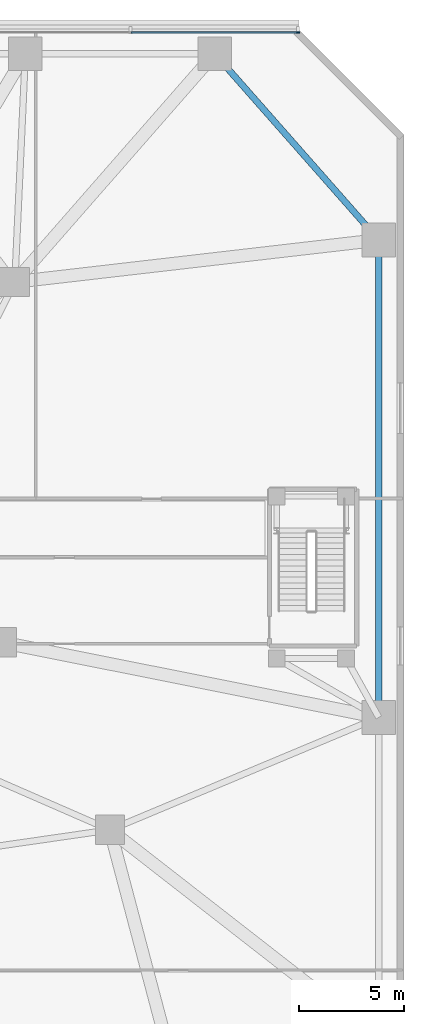
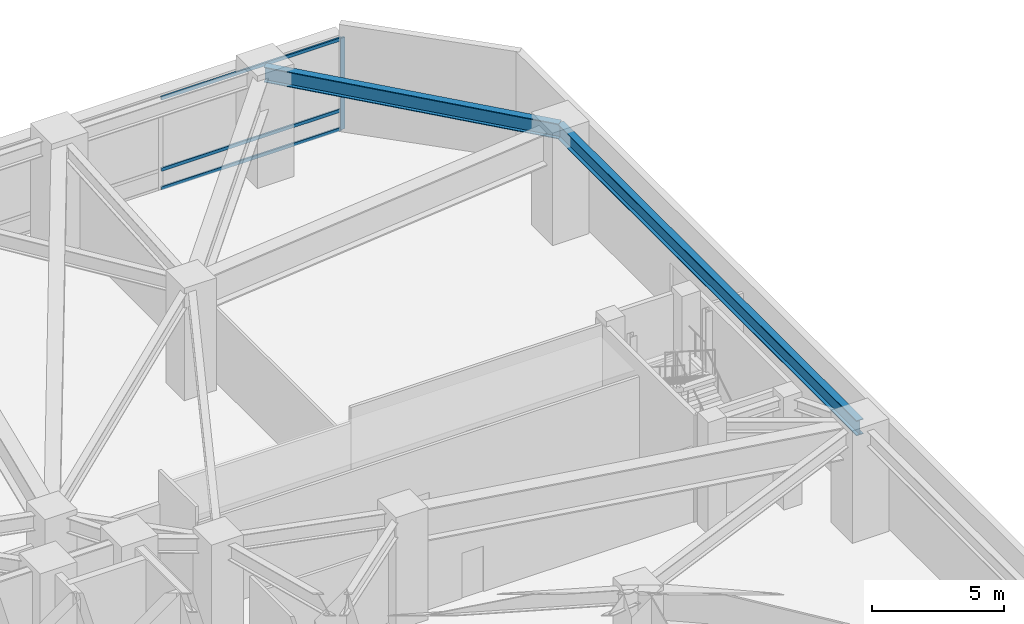
# One storey, part 13 of 27: 4 members, 2 beams, 1 element without a shape of its own.
"""IFC4 building model written with IfcOpenShell, lengths in metres."""

from ifc_helpers import new_model, si_unit, direction, frame, origin, origin_2d, place, context, subcontext, project, spatial, rectangle, i_section, extrude, material, layer, layer_set, material_profile, profile_set, type_object, element, aggregate, save


model = new_model("IFC4")

# Units and contexts
model_context = context("Model", 3, precision=1e-05, world=origin(), true_north=direction((0.0, 1.0)))
body_context = subcontext(model_context, "Body", "Model", "MODEL_VIEW")
ifc_project = project(units=[si_unit("LENGTHUNIT", "METRE"), si_unit("AREAUNIT", "SQUARE_METRE"), si_unit("VOLUMEUNIT", "CUBIC_METRE"), si_unit("PLANEANGLEUNIT", "RADIAN"), si_unit("MASSUNIT", "GRAM", prefix="KILO")], contexts=[model_context])

# Site, building, storey
site_placement = place(None, origin())
site = spatial("IfcSite", under=ifc_project, at=site_placement, CompositionType="ELEMENT")
building_placement = place(site_placement, origin())
building = spatial("IfcBuilding", under=site, at=building_placement, Name="Terralouvre Media Tower", CompositionType="ELEMENT")
storey_placement = place(building_placement, frame((0.0, 0.0, 15.60009765625)))
storey = spatial("IfcBuildingStorey", under=building, at=storey_placement, Name="L03", CompositionType="ELEMENT", Elevation=15.60009765625)

# Curtain wall, members
ifc_material_1 = material(Name="Low-iron laminated double glazing with solar-control coating", Category="glass")
ifc_layer = layer(ifc_material_1, 0.1650390625, Name="Podium Broadcast Gallery Glazing CW-01")
ifc_layer_set = layer_set([ifc_layer], Name="Low-iron laminated double glazing with solar-control coating")
curtain_wall_type = type_object("IfcCurtainWallType", Name="Podium Broadcast Gallery Glazing CW-01", PredefinedType="NOTDEFINED", material=ifc_layer_set)
curtain_wall_placement = place(storey_placement, origin())
curtain_wall = element("IfcCurtainWall", 1, at=curtain_wall_placement, inside=storey, type_object=curtain_wall_type, Name="L03 Podium Curtain Wall F4", PredefinedType="NOTDEFINED")
ifc_material_2 = material(Name="Anodised extruded aluminium 6063-T6", Category="aluminium")
ifc_material_profile_1 = material_profile(ifc_material_2, rectangle(XDim=0.074951171875, YDim=0.14990234375, at=origin_2d()), Name="ALU 75x150")
ifc_profile_set_1 = profile_set([ifc_material_profile_1], Name="Anodised extruded aluminium 6063-T6")
member_type_1 = type_object("IfcMemberType", Name="Curtain-Wall Horizontal Transom TR-150", PredefinedType="USERDEFINED", material=ifc_profile_set_1)
member_1_placement = place(storey_placement, frame((31.925048828125, 33.360107421875, 0.037353515625), z_axis=(-1.0, 0.0, 0.0), x_axis=(0.0, -1.0, 0.0)))
member_1 = element("IfcMember", 2, at=member_1_placement, type_object=member_type_1, Name="CW-01 transom 1.1", ObjectType="TRANSOM", PredefinedType="USERDEFINED", context=body_context, shape_type="SweptSolid", body=[
    extrude(rectangle(XDim=0.074951171875, YDim=0.14990234375, at=origin_2d()), origin(), (0.0, 0.0, 1.0), 7.887451171875),
])
member_2_placement = place(storey_placement, frame((31.925048828125, 33.360107421875, 0.89990234375), z_axis=(-1.0, 0.0, 0.0), x_axis=(0.0, -1.0, 0.0)))
member_2 = element("IfcMember", 3, at=member_2_placement, type_object=member_type_1, Name="CW-01 transom 1.2", ObjectType="TRANSOM", PredefinedType="USERDEFINED", context=body_context, shape_type="SweptSolid", body=[
    extrude(rectangle(XDim=0.074951171875, YDim=0.14990234375, at=origin_2d()), origin(), (0.0, 0.0, 1.0), 7.887451171875),
])
member_3_placement = place(storey_placement, frame((31.925048828125, 33.360107421875, 4.1923828125), z_axis=(-1.0, 0.0, 0.0), x_axis=(0.0, -1.0, 0.0)))
member_3 = element("IfcMember", 4, at=member_3_placement, type_object=member_type_1, Name="CW-01 transom 1.3", ObjectType="TRANSOM", PredefinedType="USERDEFINED", context=body_context, shape_type="SweptSolid", body=[
    extrude(rectangle(XDim=0.074951171875, YDim=0.14990234375, at=origin_2d()), origin(), (0.0, 0.0, 1.0), 7.887451171875),
])
ifc_material_3 = material(Name="Anodised extruded aluminium 6063-T6", Category="aluminium")
ifc_material_profile_2 = material_profile(ifc_material_3, rectangle(XDim=0.074951171875, YDim=0.179931640625, at=origin_2d()), Name="ALU 75x180")
ifc_profile_set_2 = profile_set([ifc_material_profile_2], Name="Anodised extruded aluminium 6063-T6")
member_type_2 = type_object("IfcMemberType", Name="Curtain-Wall Vertical Mullion ML-180", PredefinedType="MULLION", material=ifc_profile_set_2)
member_4_placement = place(storey_placement, frame((31.96240234375, 33.360107421875, 0.0), z_axis=(0.0, 0.0, 1.0), x_axis=(0.0, -1.0, 0.0)))
member_4 = element("IfcMember", 5, at=member_4_placement, type_object=member_type_2, Name="CW-01 mullion 1", PredefinedType="MULLION", context=body_context, shape_type="SweptSolid", body=[
    extrude(rectangle(XDim=0.074951171875, YDim=0.179931640625, at=origin_2d()), origin(), (0.0, 0.0, 1.0), 4.22998046875),
])
aggregate(curtain_wall, [member_4, member_1, member_2, member_3])

# Beams
ifc_material_4 = material(Name="Structural steel S460M", Category="steel")
ifc_material_profile_3 = material_profile(ifc_material_4, i_section(OverallWidth=0.300048828125, OverallDepth=0.699951171875, WebThickness=0.01708984375, FlangeThickness=0.031982421875, at=origin_2d()), Name="HEB 700")
ifc_profile_set_3 = profile_set([ifc_material_profile_3], Name="Structural steel S460M")
beam_type = type_object("IfcBeamType", Name="Primary Floor Girder B-HEB700 (HEB 700)", PredefinedType="BEAM", material=ifc_profile_set_3)
beam_1_placement = place(storey_placement, frame((35.800048828125, 0.800048828125, 4.599853515625), z_axis=(0.0, 1.0, 0.0), x_axis=(-1.0, 0.0, 0.0)))
element("IfcBeam", 6, at=beam_1_placement, inside=storey, type_object=beam_type, Name="L03 Framing Beam BM-L03-PR09", PredefinedType="BEAM", context=body_context, shape_type="SweptSolid", body=[
    extrude(i_section(OverallWidth=0.300048828125, OverallDepth=0.699951171875, WebThickness=0.01708984375, FlangeThickness=0.031982421875, at=origin_2d()), origin(), (0.0, 0.0, 1.0), 22.699951171875),
])
beam_2_placement = place(storey_placement, frame((35.800048828125, 23.5, 4.599853515625), z_axis=(-0.661199207896, 0.75021037548, 0.0), x_axis=(-0.75021037548, -0.661199207896, 0.0)))
element("IfcBeam", 7, at=beam_2_placement, inside=storey, type_object=beam_type, Name="L03 Framing Beam BM-L03-PR10", PredefinedType="BEAM", context=body_context, shape_type="SweptSolid", body=[
    extrude(i_section(OverallWidth=0.300048828125, OverallDepth=0.699951171875, WebThickness=0.01708984375, FlangeThickness=0.031982421875, at=origin_2d()), origin(), (0.0, 0.0, 1.0), 11.796875),
])

save(model, "model.ifc")
